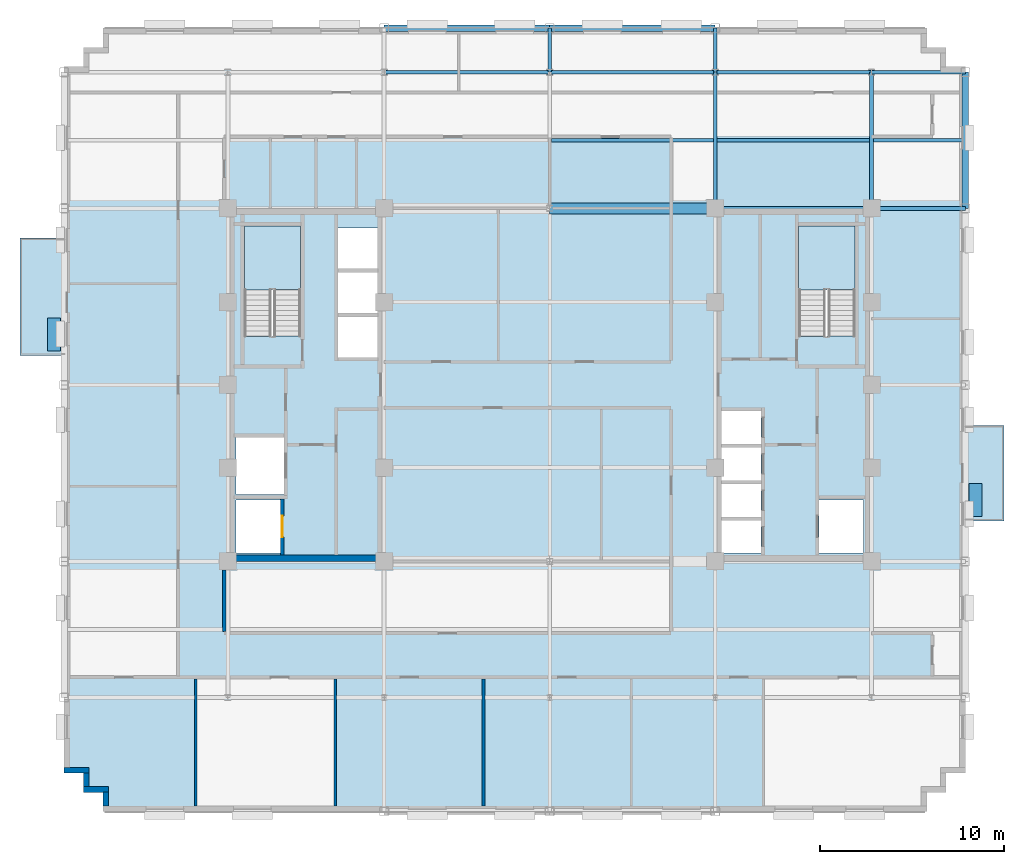
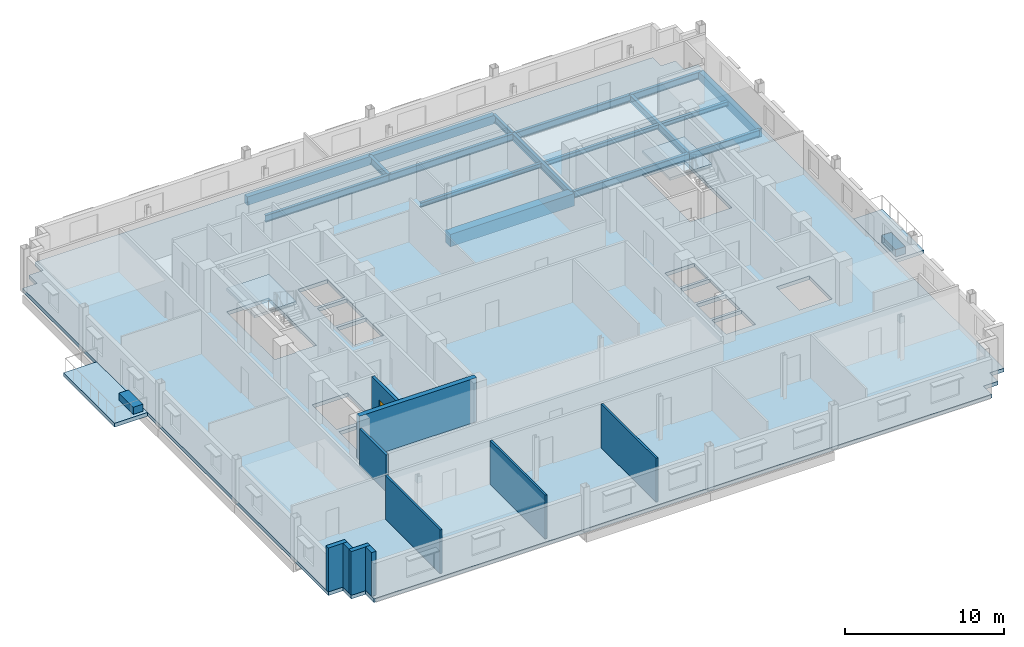
# One storey, part 6 of 15: 17 beams, 10 walls, 5 slabs, 2 plates, 1 door, 1 opening, 2 elements without a shape of their own.
"""IFC4 building model written with IfcOpenShell, lengths in metres."""

from ifc_helpers import new_model, si_unit, direction, frame, frame_2d, origin, origin_2d, place, context, subcontext, project, spatial, polyline, rectangle, i_section, outline, extrude, source, transform, mapped, material, layer, layer_set, material_profile, profile_set, type_object, type_shapes, element, fill, aggregate, save


model = new_model("IFC4")

# Units and contexts
model_context = context("Model", 3, precision=1e-05, world=origin(), true_north=direction((0.0, 1.0)))
body_context = subcontext(model_context, "Body", "Model", "MODEL_VIEW")
ifc_project = project(units=[si_unit("LENGTHUNIT", "METRE"), si_unit("AREAUNIT", "SQUARE_METRE"), si_unit("VOLUMEUNIT", "CUBIC_METRE"), si_unit("PLANEANGLEUNIT", "RADIAN"), si_unit("MASSUNIT", "GRAM", prefix="KILO")], contexts=[model_context])

# Site, building, storey
site_placement = place(None, origin())
site = spatial("IfcSite", under=ifc_project, at=site_placement, CompositionType="ELEMENT")
building_placement = place(site_placement, origin())
building = spatial("IfcBuilding", under=site, at=building_placement, Name="Nuvemarco Arch Tower", CompositionType="ELEMENT")
storey_placement = place(building_placement, frame((0.0, 0.0, 194.550048828125)))
storey = spatial("IfcBuildingStorey", under=building, at=storey_placement, Name="L51", CompositionType="ELEMENT", Elevation=194.550048828125)

# Beams
ifc_material_1 = material(Name="Concrete C60/75", Category="concrete")
ifc_material_profile_1 = material_profile(ifc_material_1, rectangle(XDim=0.60009765625, YDim=0.949951171875, at=origin_2d()), Name="RC-BM-600x950")
ifc_profile_set_1 = profile_set([ifc_material_profile_1], Name="Concrete C60/75")
beam_type_1 = type_object("IfcBeamType", Name="BM-COUP-RC", PredefinedType="LINTEL", material=ifc_profile_set_1)
beam_1_placement = place(storey_placement, frame((0.0, 9.60009765625, -0.755126953125), z_axis=(1.0, 0.0, 0.0), x_axis=(0.0, 1.0, 0.0)))
element("IfcBeam", 1, at=beam_1_placement, inside=storey, type_object=beam_type_1, Name="L51 structural beam BGEW_L51_0_+9.6_+0.0", PredefinedType="LINTEL", context=body_context, shape_type="SweptSolid", body=[
    extrude(rectangle(XDim=0.60009765625, YDim=0.949951171875, at=origin_2d()), origin(), (0.0, 0.0, 1.0), 9.0),
])
ifc_material_2 = material(Name="Steel S355", Category="steel")
ifc_material_profile_2 = material_profile(ifc_material_2, i_section(OverallWidth=0.2109375, OverallDepth=0.5390625, WebThickness=0.01171875, FlangeThickness=0.018798828125, FilletRadius=0.01611328125, at=origin_2d()), Name="W530x109")
ifc_profile_set_2 = profile_set([ifc_material_profile_2], Name="Steel S355")
beam_type_2 = type_object("IfcBeamType", Name="BM-GIRD-530", PredefinedType="BEAM", material=ifc_profile_set_2)
beam_2_placement = place(storey_placement, frame((0.0, 17.0, -0.549560546875), z_axis=(0.0, 1.0, 0.0), x_axis=(-1.0, 0.0, 0.0)))
element("IfcBeam", 2, at=beam_2_placement, inside=storey, type_object=beam_type_2, Name="L51 structural beam BGNS_L51_0_+0.0_+17.0", PredefinedType="BEAM", context=body_context, shape_type="SweptSolid", body=[
    extrude(i_section(OverallWidth=0.2109375, OverallDepth=0.5390625, WebThickness=0.01171875, FlangeThickness=0.018798828125, FilletRadius=0.01611328125, at=origin_2d()), origin(), (0.0, 0.0, 1.0), 2.39990234375),
])
beam_3_placement = place(storey_placement, frame((9.0, 9.60009765625, -0.549560546875), z_axis=(0.0, 1.0, 0.0), x_axis=(-1.0, 0.0, 0.0)))
element("IfcBeam", 3, at=beam_3_placement, inside=storey, type_object=beam_type_2, Name="L51 structural beam BGNS_L51_0_+9.0_+9.6", PredefinedType="BEAM", context=body_context, shape_type="SweptSolid", body=[
    extrude(i_section(OverallWidth=0.2109375, OverallDepth=0.5390625, WebThickness=0.01171875, FlangeThickness=0.018798828125, FilletRadius=0.01611328125, at=origin_2d()), origin(), (0.0, 0.0, 1.0), 7.39990234375),
])
beam_4_placement = place(storey_placement, frame((9.0, 17.0, -0.549560546875), z_axis=(0.0, 1.0, 0.0), x_axis=(-1.0, 0.0, 0.0)))
element("IfcBeam", 4, at=beam_4_placement, inside=storey, type_object=beam_type_2, Name="L51 structural beam BGNS_L51_0_+9.0_+17.0", PredefinedType="BEAM", context=body_context, shape_type="SweptSolid", body=[
    extrude(i_section(OverallWidth=0.2109375, OverallDepth=0.5390625, WebThickness=0.01171875, FlangeThickness=0.018798828125, FilletRadius=0.01611328125, at=origin_2d()), origin(), (0.0, 0.0, 1.0), 2.39990234375),
])
beam_5_placement = place(storey_placement, frame((17.5, 9.60009765625, -0.549560546875), z_axis=(0.0, 1.0, 0.0), x_axis=(-1.0, 0.0, 0.0)))
element("IfcBeam", 5, at=beam_5_placement, inside=storey, type_object=beam_type_2, Name="L51 structural beam BGNS_L51_0_+17.5_+9.6", PredefinedType="BEAM", context=body_context, shape_type="SweptSolid", body=[
    extrude(i_section(OverallWidth=0.2109375, OverallDepth=0.5390625, WebThickness=0.01171875, FlangeThickness=0.018798828125, FilletRadius=0.01611328125, at=origin_2d()), origin(), (0.0, 0.0, 1.0), 7.39990234375),
])
beam_6_placement = place(storey_placement, frame((9.0, 9.60009765625, -0.549560546875), z_axis=(1.0, 0.0, 0.0), x_axis=(0.0, 1.0, 0.0)))
element("IfcBeam", 6, at=beam_6_placement, inside=storey, type_object=beam_type_2, Name="L51 structural beam BGEW_L51_0_+9.6_+9.0", PredefinedType="BEAM", context=body_context, shape_type="SweptSolid", body=[
    extrude(i_section(OverallWidth=0.2109375, OverallDepth=0.5390625, WebThickness=0.01171875, FlangeThickness=0.018798828125, FilletRadius=0.01611328125, at=origin_2d()), origin(), (0.0, 0.0, 1.0), 8.5),
])
beam_7_placement = place(storey_placement, frame((17.5, 9.60009765625, -0.549560546875), z_axis=(1.0, 0.0, 0.0), x_axis=(0.0, 1.0, 0.0)))
element("IfcBeam", 7, at=beam_7_placement, inside=storey, type_object=beam_type_2, Name="L51 structural beam BGEW_L51_0_+9.6_+17.5", PredefinedType="BEAM", context=body_context, shape_type="SweptSolid", body=[
    extrude(i_section(OverallWidth=0.2109375, OverallDepth=0.5390625, WebThickness=0.01171875, FlangeThickness=0.018798828125, FilletRadius=0.01611328125, at=origin_2d()), origin(), (0.0, 0.0, 1.0), 5.10009765625),
])
for number, where, z_axis, x_axis, name in (
    (8, (-9.0, 17.0, -0.549560546875), (1.0, 0.0, 0.0), (0.0, 1.0, 0.0), "L51 structural beam BGEW_L51_0_+17.0_-9.0"),
    (9, (0.0, 17.0, -0.549560546875), (1.0, 0.0, 0.0), (0.0, 1.0, 0.0), "L51 structural beam BGEW_L51_0_+17.0_+0.0"),
):
    element("IfcBeam", number, at=place(storey_placement, frame(where, z_axis=z_axis, x_axis=x_axis)), inside=storey, type_object=beam_type_2, Name=name, PredefinedType="BEAM", context=body_context, shape_type="SweptSolid", body=[
        extrude(i_section(OverallWidth=0.2109375, OverallDepth=0.5390625, WebThickness=0.01171875, FlangeThickness=0.018798828125, FilletRadius=0.01611328125, at=origin_2d()), origin(), (0.0, 0.0, 1.0), 9.0),
    ])
beam_8_placement = place(storey_placement, frame((9.0, 17.0, -0.549560546875), z_axis=(1.0, 0.0, 0.0), x_axis=(0.0, 1.0, 0.0)))
element("IfcBeam", 10, at=beam_8_placement, inside=storey, type_object=beam_type_2, Name="L51 structural beam BGEW_L51_0_+17.0_+9.0", PredefinedType="BEAM", context=body_context, shape_type="SweptSolid", body=[
    extrude(i_section(OverallWidth=0.2109375, OverallDepth=0.5390625, WebThickness=0.01171875, FlangeThickness=0.018798828125, FilletRadius=0.01611328125, at=origin_2d()), origin(), (0.0, 0.0, 1.0), 8.5),
])
beam_9_placement = place(storey_placement, frame((17.5, 17.0, -0.549560546875), z_axis=(1.0, 0.0, 0.0), x_axis=(0.0, 1.0, 0.0)))
element("IfcBeam", 11, at=beam_9_placement, inside=storey, type_object=beam_type_2, Name="L51 structural beam BGEW_L51_0_+17.0_+17.5", PredefinedType="BEAM", context=body_context, shape_type="SweptSolid", body=[
    extrude(i_section(OverallWidth=0.2109375, OverallDepth=0.5390625, WebThickness=0.01171875, FlangeThickness=0.018798828125, FilletRadius=0.01611328125, at=origin_2d()), origin(), (0.0, 0.0, 1.0), 5.10009765625),
])
ifc_material_profile_3 = material_profile(ifc_material_2, i_section(OverallWidth=0.202880859375, OverallDepth=0.346923828125, WebThickness=0.0078125, FlangeThickness=0.013427734375, FilletRadius=0.014892578125, at=origin_2d()), Name="W360x64")
ifc_profile_set_3 = profile_set([ifc_material_profile_3], Name="Steel S355")
beam_type_3 = type_object("IfcBeamType", Name="BM-JOIST-360", PredefinedType="JOIST", material=ifc_profile_set_3)
beam_10_placement = place(storey_placement, frame((0.10546875, 13.300048828125, -0.45361328125), z_axis=(1.0, 0.0, 0.0), x_axis=(0.0, 1.0, 0.0)))
element("IfcBeam", 12, at=beam_10_placement, inside=storey, type_object=beam_type_3, Name="L51 structural beam BJ_L51_0_+13.3_+0.0", PredefinedType="JOIST", context=body_context, shape_type="SweptSolid", body=[
    extrude(i_section(OverallWidth=0.202880859375, OverallDepth=0.346923828125, WebThickness=0.0078125, FlangeThickness=0.013427734375, FilletRadius=0.014892578125, at=origin_2d()), origin(), (0.0, 0.0, 1.0), 8.7890625),
])
beam_11_placement = place(storey_placement, frame((9.10546875, 13.300048828125, -0.45361328125), z_axis=(1.0, 0.0, 0.0), x_axis=(0.0, 1.0, 0.0)))
element("IfcBeam", 13, at=beam_11_placement, inside=storey, type_object=beam_type_3, Name="L51 structural beam BJ_L51_0_+13.3_+9.0", PredefinedType="JOIST", context=body_context, shape_type="SweptSolid", body=[
    extrude(i_section(OverallWidth=0.202880859375, OverallDepth=0.346923828125, WebThickness=0.0078125, FlangeThickness=0.013427734375, FilletRadius=0.014892578125, at=origin_2d()), origin(), (0.0, 0.0, 1.0), 8.2890625),
])
beam_12_placement = place(storey_placement, frame((17.60546875, 13.300048828125, -0.45361328125), z_axis=(1.0, 0.0, 0.0), x_axis=(0.0, 1.0, 0.0)))
element("IfcBeam", 14, at=beam_12_placement, inside=storey, type_object=beam_type_3, Name="L51 structural beam BJ_L51_0_+13.3_+17.5", PredefinedType="JOIST", context=body_context, shape_type="SweptSolid", body=[
    extrude(i_section(OverallWidth=0.202880859375, OverallDepth=0.346923828125, WebThickness=0.0078125, FlangeThickness=0.013427734375, FilletRadius=0.014892578125, at=origin_2d()), origin(), (0.0, 0.0, 1.0), 4.819580078125),
])
ifc_material_3 = material(Name="Precast concrete C45/55", Category="concrete")
ifc_material_profile_4 = material_profile(ifc_material_3, rectangle(XDim=0.35009765625, YDim=0.64990234375, at=origin_2d()), Name="PC-SP-350x650")
ifc_profile_set_4 = profile_set([ifc_material_profile_4], Name="Precast concrete C45/55")
beam_type_4 = type_object("IfcBeamType", Name="BM-SPAN-RC", PredefinedType="SPANDREL", material=ifc_profile_set_4)
beam_13_placement = place(storey_placement, frame((22.60009765625, 9.60009765625, -0.60498046875), z_axis=(0.0, 1.0, 0.0), x_axis=(-1.0, 0.0, 0.0)))
element("IfcBeam", 15, at=beam_13_placement, inside=storey, type_object=beam_type_4, Name="L51 structural beam BGNS_L51_0_+22.6_+9.6", PredefinedType="SPANDREL", context=body_context, shape_type="SweptSolid", body=[
    extrude(rectangle(XDim=0.35009765625, YDim=0.64990234375, at=origin_2d()), origin(), (0.0, 0.0, 1.0), 7.39990234375),
])
for number, where, z_axis, x_axis, name in (
    (16, (-9.0, 19.39990234375, -0.60498046875), (1.0, 0.0, 0.0), (0.0, 1.0, 0.0), "L51 structural beam BGEW_L51_0_+19.4_-9.0"),
    (17, (0.0, 19.39990234375, -0.60498046875), (1.0, 0.0, 0.0), (0.0, 1.0, 0.0), "L51 structural beam BGEW_L51_0_+19.4_+0.0"),
):
    element("IfcBeam", number, at=place(storey_placement, frame(where, z_axis=z_axis, x_axis=x_axis)), inside=storey, type_object=beam_type_4, Name=name, PredefinedType="SPANDREL", context=body_context, shape_type="SweptSolid", body=[
        extrude(rectangle(XDim=0.35009765625, YDim=0.64990234375, at=origin_2d()), origin(), (0.0, 0.0, 1.0), 9.0),
    ])

# Slab
ifc_material_4 = material(Name="Concrete C50/60", Category="concrete")
ifc_layer_1 = layer(ifc_material_4, 0.280029296875, Name="SL-FLR-280")
ifc_layer_set_1 = layer_set([ifc_layer_1], Name="Concrete C50/60")
slab_type_1 = type_object("IfcSlabType", Name="SL-FLR-280", PredefinedType="FLOOR", material=ifc_layer_set_1)
slab_1_placement = place(storey_placement, frame((0.0, 0.0, -0.280029296875)))
element("IfcSlab", 18, at=slab_1_placement, inside=storey, type_object=slab_type_1, Name="L51 structural floor slab", PredefinedType="FLOOR", context=body_context, shape_type="SweptSolid", body=[
    extrude(outline(polyline([(-24.300048828125, -23.199951171875), (20.5, -23.199951171875), (20.5, -22.14990234375), (21.550048828125, -22.14990234375), (21.550048828125, -21.10009765625), (22.60009765625, -21.10009765625), (22.60009765625, 17.300048828125), (21.550048828125, 17.300048828125), (21.550048828125, 18.35009765625), (20.5, 18.35009765625), (20.5, 19.39990234375), (-24.300048828125, 19.39990234375), (-24.300048828125, 18.35009765625), (-25.35009765625, 18.35009765625), (-25.35009765625, 17.300048828125), (-26.39990234375, 17.300048828125), (-26.39990234375, -21.10009765625), (-25.35009765625, -21.10009765625), (-25.35009765625, -22.14990234375), (-24.300048828125, -22.14990234375), (-24.300048828125, -23.199951171875)]), holes=[polyline([(-13.5400390625, 2.669921875), (-13.5400390625, 8.64990234375), (-16.60009765625, 8.64990234375), (-16.60009765625, 2.630615234375), (-15.070068359375, 2.630615234375), (-15.070068359375, 2.669921875), (-13.5400390625, 2.669921875)]), polyline([(16.60009765625, 2.669921875), (16.60009765625, 8.64990234375), (13.5400390625, 8.64990234375), (13.5400390625, 2.630615234375), (15.070068359375, 2.630615234375), (15.070068359375, 2.669921875), (16.60009765625, 2.669921875)]), polyline([(-17.050048828125, -9.14990234375), (-14.64990234375, -9.14990234375), (-14.64990234375, -6.25), (-17.050048828125, -6.25), (-17.050048828125, -9.14990234375)]), polyline([(-17.050048828125, -5.949951171875), (-14.449951171875, -5.949951171875), (-14.449951171875, -2.85009765625), (-17.050048828125, -2.85009765625), (-17.050048828125, -5.949951171875)]), polyline([(-11.5, 1.5), (-9.35009765625, 1.5), (-9.35009765625, 3.699951171875), (-11.5, 3.699951171875), (-11.5, 1.5)]), polyline([(-11.5, 3.919921875), (-9.35009765625, 3.919921875), (-9.35009765625, 6.1201171875), (-11.5, 6.1201171875), (-11.5, 3.919921875)]), polyline([(-11.5, 6.340087890625), (-9.35009765625, 6.340087890625), (-9.35009765625, 8.5400390625), (-11.5, 8.5400390625), (-11.5, 6.340087890625)]), polyline([(14.64990234375, -9.14990234375), (17.050048828125, -9.14990234375), (17.050048828125, -6.25), (14.64990234375, -6.25), (14.64990234375, -9.14990234375)]), polyline([(9.35009765625, -9.14990234375), (11.5, -9.14990234375), (11.5, -7.3701171875), (9.35009765625, -7.3701171875), (9.35009765625, -9.14990234375)]), polyline([(9.35009765625, -7.169921875), (11.5, -7.169921875), (11.5, -5.389892578125), (9.35009765625, -5.389892578125), (9.35009765625, -7.169921875)]), polyline([(9.35009765625, -5.18994140625), (11.5, -5.18994140625), (11.5, -3.409912109375), (9.35009765625, -3.409912109375), (9.35009765625, -5.18994140625)]), polyline([(9.35009765625, -3.2099609375), (11.5, -3.2099609375), (11.5, -1.429931640625), (9.35009765625, -1.429931640625), (9.35009765625, -3.2099609375)])]), origin(), (0.0, 0.0, 1.0), 0.280029296875),
])

# Stair, slab
stair_type = type_object("IfcStairType", Name="ST-CORE-20R", PredefinedType="HALF_TURN_STAIR", material=ifc_material_3)
stair_1_placement = place(storey_placement, origin())
stair_1 = element("IfcStair", 19, at=stair_1_placement, inside=storey, type_object=stair_type, Name="L51 Protected Exit Stair ST-1", PredefinedType="HALF_TURN_STAIR")
ifc_layer_2 = layer(ifc_material_3, 0.199951171875, Name="SL-LANDING-200")
ifc_layer_set_2 = layer_set([ifc_layer_2], Name="Precast concrete C45/55")
slab_type_2 = type_object("IfcSlabType", Name="SL-LANDING-200", PredefinedType="LANDING", material=ifc_layer_set_2)
slab_2_placement = place(storey_placement, frame((0.0, 0.0, 1.625)))
slab_2 = element("IfcSlab", 20, at=slab_2_placement, type_object=slab_type_2, Name="ST-20R landing 1", PredefinedType="LANDING", context=body_context, shape_type="SweptSolid", body=[
    extrude(outline(polyline([(-13.5400390625, 5.189453125), (-13.5400390625, 8.64990234375), (-16.60009765625, 8.64990234375), (-16.60009765625, 5.169921875), (-15.070068359375, 5.169921875), (-15.070068359375, 5.189453125), (-13.5400390625, 5.189453125)])), origin(), (0.0, 0.0, 1.0), 0.199951171875),
])
aggregate(stair_1, [slab_2])

stair_2_placement = place(storey_placement, origin())
stair_2 = element("IfcStair", 21, at=stair_2_placement, inside=storey, type_object=stair_type, Name="L51 Protected Exit Stair ST-2", PredefinedType="HALF_TURN_STAIR")
slab_3_placement = place(storey_placement, frame((0.0, 0.0, 1.625)))
slab_3 = element("IfcSlab", 22, at=slab_3_placement, type_object=slab_type_2, Name="ST-20R landing 1", PredefinedType="LANDING", context=body_context, shape_type="SweptSolid", body=[
    extrude(outline(polyline([(16.60009765625, 5.189453125), (16.60009765625, 8.64990234375), (13.5400390625, 8.64990234375), (13.5400390625, 5.169921875), (15.070068359375, 5.169921875), (15.070068359375, 5.189453125), (16.60009765625, 5.189453125)])), origin(), (0.0, 0.0, 1.0), 0.199951171875),
])
aggregate(stair_2, [slab_3])

# Slabs
ifc_layer_3 = layer(ifc_material_4, 0.264892578125, Name="SL-TB1")
ifc_layer_set_3 = layer_set([ifc_layer_3], Name="Concrete C50/60")
slab_type_3 = type_object("IfcSlabType", Name="SL-TB1", PredefinedType="FLOOR", material=ifc_layer_set_3)
slab_4_placement = place(storey_placement, frame((0.0, 0.0, -0.26513671875)))
element("IfcSlab", 23, at=slab_4_placement, inside=storey, type_object=slab_type_3, Name="L51 outdoor tree balcony slab 2", PredefinedType="FLOOR", context=body_context, shape_type="SweptSolid", body=[
    extrude(outline(polyline([(22.60009765625, -7.39990234375), (24.699951171875, -7.39990234375), (24.699951171875, -2.199951171875), (22.60009765625, -2.199951171875), (22.60009765625, -7.39990234375)])), origin(), (0.0, 0.0, 1.0), 0.26513671875),
])
ifc_layer_4 = layer(ifc_material_4, 0.294921875, Name="SL-TR4")
ifc_layer_set_4 = layer_set([ifc_layer_4], Name="Concrete C50/60")
slab_type_4 = type_object("IfcSlabType", Name="SL-TR4", PredefinedType="FLOOR", material=ifc_layer_set_4)
slab_5_placement = place(storey_placement, frame((0.0, 0.0, -0.295166015625)))
element("IfcSlab", 24, at=slab_5_placement, inside=storey, type_object=slab_type_4, Name="L51 outdoor spiral terrace slab 1", PredefinedType="FLOOR", context=body_context, shape_type="SweptSolid", body=[
    extrude(outline(polyline([(-28.800048828125, 1.60009765625), (-26.39990234375, 1.60009765625), (-26.39990234375, 8.0), (-28.800048828125, 8.0), (-28.800048828125, 1.60009765625)])), origin(), (0.0, 0.0, 1.0), 0.295166015625),
])

# Plates
ifc_layer_5 = layer(ifc_material_3, 0.550048828125, Name="Tree Balcony Structural Planter")
ifc_layer_set_5 = layer_set([ifc_layer_5], Name="Precast concrete C45/55")
plate_type = type_object("IfcPlateType", Name="Tree Balcony Structural Planter", PredefinedType="USERDEFINED", material=ifc_layer_set_5)
shared_shape_1 = source(origin(), body_context, "Body", "SweptSolid", [
    extrude(rectangle(XDim=1.800048828125, YDim=0.699951171875, at=origin_2d()), origin(), (0.0, 0.0, 1.0), 0.550048828125),
])
type_shapes(plate_type, [shared_shape_1])
for number, where, z_axis, x_axis, name in (
    (25, (-26.949951171875, 2.75, 0.0), (0.0, 0.0, 1.0), (0.0, 1.0, 0.0), "L51 Tree Balcony Structural Planter"),
    (26, (23.14990234375, -6.25, 0.0), (0.0, 0.0, 1.0), (0.0, 1.0, 0.0), "L51 Tree Balcony Structural Planter"),
):
    element("IfcPlate", number, at=place(storey_placement, frame(where, z_axis=z_axis, x_axis=x_axis)), inside=storey, type_object=plate_type, Name=name, ObjectType="PLANTER", PredefinedType="USERDEFINED", context=body_context, shape_type="MappedRepresentation", body=[
        mapped(shared_shape_1, transform((0.0, 0.0, 0.0), scale=1.0)),
    ])

# Walls
ifc_layer_6 = layer(ifc_material_3, 0.31005859375, Name="EW-UPP-310")
ifc_layer_set_6 = layer_set([ifc_layer_6], Name="Precast concrete C45/55")
wall_type_1 = type_object("IfcWallType", Name="EW-UPP-310", PredefinedType="STANDARD", material=ifc_layer_set_6)
wall_1_placement = place(storey_placement, frame((-26.39990234375, -20.945068359375, 0.0), z_axis=(0.0, 0.0, 1.0), x_axis=(1.0, 0.0, 0.0)))
element("IfcWall", 27, at=wall_1_placement, inside=storey, type_object=wall_type_1, Name="L51 exterior precast facade wall 17", PredefinedType="STANDARD", context=body_context, shape_type="SweptSolid", body=[
    extrude(rectangle(XDim=1.35986328125, YDim=0.31005859375, at=frame_2d((0.679931640625, 0.0))), origin(), (0.0, 0.0, 1.0), 3.35986328125),
])
wall_2_placement = place(storey_placement, frame((-25.195068359375, -21.843994140625, 0.0), z_axis=(0.0, 0.0, 1.0), x_axis=(0.0, 1.0, 0.0)))
element("IfcWall", 28, at=wall_2_placement, inside=storey, type_object=wall_type_1, Name="L51 exterior precast facade wall 18", PredefinedType="STANDARD", context=body_context, shape_type="SweptSolid", body=[
    extrude(rectangle(XDim=0.748046875, YDim=0.31005859375, at=frame_2d((0.3740234375, 0.0))), origin(), (0.0, 0.0, 1.0), 3.35986328125),
])
wall_3_placement = place(storey_placement, frame((-25.35009765625, -21.9951171875, 0.0), z_axis=(0.0, 0.0, 1.0), x_axis=(1.0, 0.0, 0.0)))
element("IfcWall", 29, at=wall_3_placement, inside=storey, type_object=wall_type_1, Name="L51 exterior precast facade wall 19", PredefinedType="STANDARD", context=body_context, shape_type="SweptSolid", body=[
    extrude(rectangle(XDim=1.360107421875, YDim=0.31005859375, at=frame_2d((0.68017578125, 0.0))), origin(), (0.0, 0.0, 1.0), 3.35986328125),
])
wall_4_placement = place(storey_placement, frame((-24.14501953125, -22.89404296875, 0.0), z_axis=(0.0, 0.0, 1.0), x_axis=(0.0, 1.0, 0.0)))
element("IfcWall", 30, at=wall_4_placement, inside=storey, type_object=wall_type_1, Name="L51 exterior precast facade wall 20", PredefinedType="STANDARD", context=body_context, shape_type="SweptSolid", body=[
    extrude(rectangle(XDim=0.748046875, YDim=0.31005859375, at=frame_2d((0.3740234375, 0.0))), origin(), (0.0, 0.0, 1.0), 3.35986328125),
])
ifc_layer_7 = layer(ifc_material_4, 0.35009765625, Name="WL-CORE-350")
ifc_layer_set_7 = layer_set([ifc_layer_7], Name="Concrete C50/60")
wall_type_2 = type_object("IfcWallType", Name="WL-CORE-350", PredefinedType="SHEAR", material=ifc_layer_set_7)
wall_5_placement = place(storey_placement, frame((-17.5, -9.425048828125, 0.0), z_axis=(0.0, 0.0, 1.0), x_axis=(1.0, 0.0, 0.0)))
element("IfcWall", 31, at=wall_5_placement, inside=storey, type_object=wall_type_2, Name="L51 W-core shear wall S", PredefinedType="SHEAR", context=body_context, shape_type="SweptSolid", body=[
    extrude(rectangle(XDim=8.5, YDim=0.35009765625, at=frame_2d((4.25, 0.0))), origin(), (0.0, 0.0, 1.0), 3.369873046875),
])
ifc_material_5 = material(Name="Fire-rated gypsum drywall partition")
ifc_layer_8 = layer(ifc_material_5, 0.179931640625, Name="WL-CORR-180")
ifc_layer_set_8 = layer_set([ifc_layer_8], Name="Fire-rated gypsum drywall partition")
wall_type_3 = type_object("IfcWallType", Name="WL-CORR-180", PredefinedType="PARTITIONING", material=ifc_layer_set_8)
wall_6_placement = place(storey_placement, frame((-17.699951171875, -13.4140625, 0.0), z_axis=(0.0, 0.0, 1.0), x_axis=(0.0, 1.0, 0.0)))
element("IfcWall", 32, at=wall_6_placement, inside=storey, type_object=wall_type_3, Name="L51 interior wall IW-L51-018", PredefinedType="PARTITIONING", context=body_context, shape_type="SweptSolid", body=[
    extrude(rectangle(XDim=3.343017578125, YDim=0.179931640625, at=frame_2d((1.67138671875, 0.0))), origin(), (0.0, 0.0, 1.0), 2.81591796875),
])
ifc_material_6 = material(Name="Gypsum plasterboard partition")
ifc_layer_9 = layer(ifc_material_6, 0.139892578125, Name="WL-ROOM-140")
ifc_layer_set_9 = layer_set([ifc_layer_9], Name="Gypsum plasterboard partition")
wall_type_4 = type_object("IfcWallType", Name="WL-ROOM-140", PredefinedType="PARTITIONING", material=ifc_layer_set_9)
for number, where, z_axis, x_axis, name in (
    (33, (-19.25, -22.889892578125, 0.0), (0.0, 0.0, 1.0), (0.0, 1.0, 0.0), "L51 interior wall IW-L51-017"),
    (34, (-11.64990234375, -22.889892578125, 0.0), (0.0, 0.0, 1.0), (0.0, 1.0, 0.0), "L51 interior wall IW-L51-022"),
    (35, (-3.60009765625, -22.889892578125, 0.0), (0.0, 0.0, 1.0), (0.0, 1.0, 0.0), "L51 interior wall IW-L51-025"),
):
    element("IfcWall", number, at=place(storey_placement, frame(where, z_axis=z_axis, x_axis=x_axis)), inside=storey, type_object=wall_type_4, Name=name, PredefinedType="PARTITIONING", context=body_context, shape_type="SweptSolid", body=[
        extrude(rectangle(XDim=6.90380859375, YDim=0.139892578125, at=frame_2d((3.451904296875, 0.0))), origin(), (0.0, 0.0, 1.0), 3.35986328125),
    ])

# Wall, opening, door
ifc_layer_10 = layer(ifc_material_4, 0.199951171875, Name="WL-SHAFT-220")
ifc_layer_set_10 = layer_set([ifc_layer_10], Name="Concrete C50/60")
wall_type_5 = type_object("IfcWallType", Name="WL-SHAFT-220", PredefinedType="SHEAR", material=ifc_layer_set_10)
wall_7_placement = place(storey_placement, frame((-14.550048828125, -9.2548828125, 0.0), z_axis=(0.0, 0.0, 1.0), x_axis=(0.0, 1.0, 0.0)))
wall_7 = element("IfcWall", 36, at=wall_7_placement, inside=storey, type_object=wall_type_5, Name="L51 structural shaft wall SW-L51-W-SHE", PredefinedType="SHEAR", context=body_context, shape_type="SweptSolid", body=[
    extrude(rectangle(XDim=3.059814453125, YDim=0.199951171875, at=frame_2d((1.52978515625, 0.0))), origin(), (0.0, 0.0, 1.0), 3.369873046875),
])
opening_placement = place(wall_7_placement, frame((0.97998046875, 0.0, 0.0)))
opening = element("IfcOpeningElement", 37, at=opening_placement, cuts=wall_7, Name="Opening LD-2", PredefinedType="OPENING", context=body_context, shape_type="SweptSolid", body=[
    extrude(rectangle(XDim=1.14990234375, YDim=2.14990234375, at=frame_2d((0.574951171875, 1.074951171875))), frame((0.0, 0.10986328125, 0.0), z_axis=(0.0, -1.0, 0.0), x_axis=(1.0, 0.0, 0.0)), (0.0, 0.0, 1.0), 0.219970703125),
])
ifc_material_7 = material(Name="Stainless steel lift door", Category="steel")
door_type = type_object("IfcDoorType", Name="DR-LIFT-FIRE", OperationType="DOUBLE_DOOR_SLIDING", PredefinedType="DOOR", material=ifc_material_7)
shared_shape_2 = source(origin(), body_context, "Body", "SweptSolid", [
    extrude(rectangle(XDim=1.14990234375, YDim=2.14990234375, at=frame_2d((0.574951171875, 1.074951171875))), frame((0.0, 0.02490234375, 0.0), z_axis=(0.0, -1.0, 0.0), x_axis=(1.0, 0.0, 0.0)), (0.0, 0.0, 1.0), 0.050048828125),
])
type_shapes(door_type, [shared_shape_2])
door_placement = place(opening_placement, origin())
door = element("IfcDoor", 38, at=door_placement, inside=storey, type_object=door_type, Name="L51 Lift landing sliding door FFL-1", OperationType="DOUBLE_DOOR_SLIDING", OverallHeight=2.14990234375, OverallWidth=1.14990234375, PredefinedType="DOOR", context=body_context, shape_type="MappedRepresentation", body=[
    mapped(shared_shape_2, transform((0.0, 0.0, 0.0), scale=1.0)),
])
fill(opening, door)

save(model, "model.ifc")
